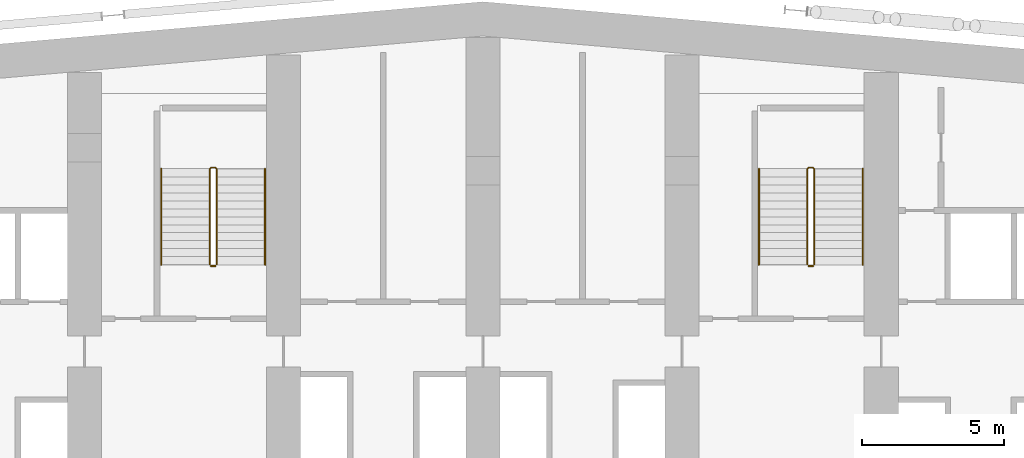
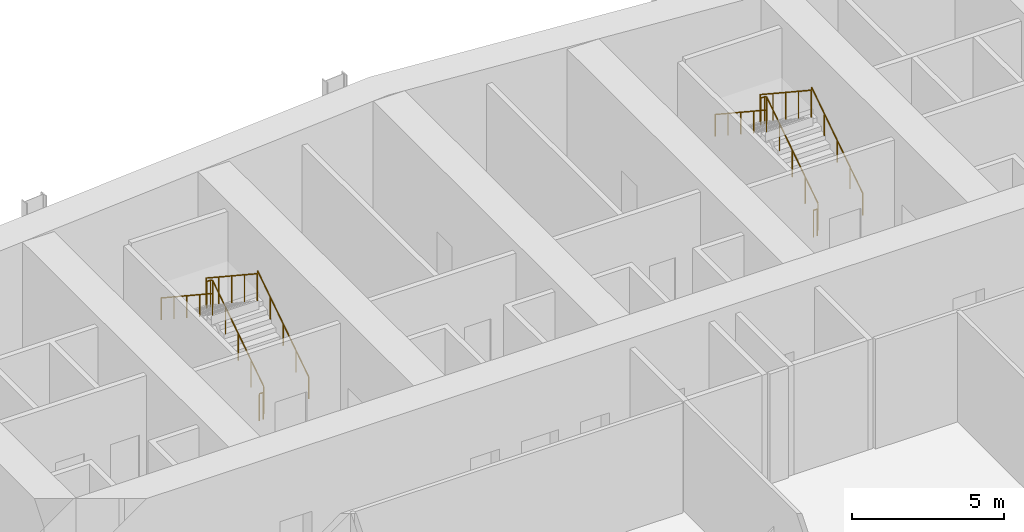
# One storey, part 38 of 39: 8 railings.
"""IFC4 building model written with IfcOpenShell, lengths in metres."""

from ifc_helpers import new_model, si_unit, direction, frame, origin, origin_2d, place, context, subcontext, project, spatial, circle, extrude, material, type_object, element, save


model = new_model("IFC4")

# Units and contexts
model_context = context("Model", 3, precision=1e-05, world=origin(), true_north=direction((0.0, 1.0)))
body_context = subcontext(model_context, "Body", "Model", "MODEL_VIEW")
ifc_project = project(units=[si_unit("LENGTHUNIT", "METRE"), si_unit("AREAUNIT", "SQUARE_METRE"), si_unit("VOLUMEUNIT", "CUBIC_METRE"), si_unit("PLANEANGLEUNIT", "RADIAN"), si_unit("MASSUNIT", "GRAM", prefix="KILO")], contexts=[model_context])

# Site, building, storey
site_placement = place(None, origin())
site = spatial("IfcSite", under=ifc_project, at=site_placement, CompositionType="ELEMENT")
building_placement = place(site_placement, origin())
building = spatial("IfcBuilding", under=site, at=building_placement, Name="Wharfspan Tower", CompositionType="ELEMENT")
storey_placement = place(building_placement, frame((0.0, 0.0, 91.899902)))
storey = spatial("IfcBuildingStorey", under=building, at=storey_placement, Name="L20", CompositionType="ELEMENT", Elevation=91.899902)

# Railings
ifc_material = material(Name="Steel S355J2", Category="steel")
railing_type_1 = type_object("IfcRailingType", Name="Stair guard 1100", PredefinedType="GUARDRAIL", material=ifc_material)
railing_1_placement = place(storey_placement, frame((27.649902, 42.0, 0.184814)))
element("IfcRailing", 1, at=railing_1_placement, inside=storey, type_object=railing_type_1, Name="L20 ST1 stair guard 1", PredefinedType="GUARDRAIL", context=body_context, shape_type="SweptSolid", body=[
    extrude(circle(Radius=0.023926, at=origin_2d()), frame((0.0, 0.0, 1.076172), z_axis=(0.0, 0.834876, 0.550437), x_axis=(-1.0, 0.0, 0.0)), (0.0, 0.0, 1.0), 4.024658),
    extrude(circle(Radius=0.023926, at=origin_2d()), frame((0.0, 3.360107, 3.291504), z_axis=(-0.707107, 0.707107, 0.0), x_axis=(-0.707107, -0.707107, 0.0)), (0.0, 0.0, 1.0), 0.070312),
    extrude(circle(Radius=0.023926, at=origin_2d()), frame((-0.049805, 3.409912, 3.291504), z_axis=(-1.0, 0.0, 0.0), x_axis=(0.0, -1.0, 0.0)), (0.0, 0.0, 1.0), 0.150146),
    extrude(circle(Radius=0.023926, at=origin_2d()), frame((-0.199951, 3.409912, 3.291504), z_axis=(-0.253265, -0.252029, 0.933991), x_axis=(0.705374, -0.708837, -1e-06)), (0.0, 0.0, 1.0), 0.19751),
    extrude(circle(Radius=0.023926, at=origin_2d()), frame((-0.25, 3.360107, 3.476074), z_axis=(0.0, -0.834876, 0.550437), x_axis=(1.0, 0.0, 0.0)), (0.0, 0.0, 1.0), 4.024658),
    extrude(circle(Radius=0.020996, at=origin_2d()), origin(), (0.0, 0.0, 1.0), 1.052002),
    extrude(circle(Radius=0.020996, at=origin_2d()), frame((0.0, 0.840088, 0.553711)), (0.0, 0.0, 1.0), 1.052002),
    extrude(circle(Radius=0.020996, at=origin_2d()), frame((0.0, 1.680176, 1.107666)), (0.0, 0.0, 1.0), 1.052002),
    extrude(circle(Radius=0.020996, at=origin_2d()), frame((0.0, 2.52002, 1.661621)), (0.0, 0.0, 1.0), 1.052002),
    extrude(circle(Radius=0.020996, at=origin_2d()), frame((0.0, 3.360107, 2.215332)), (0.0, 0.0, 1.0), 1.052002),
    extrude(circle(Radius=0.020996, at=origin_2d()), frame((-0.049805, 3.409912, 2.215332)), (0.0, 0.0, 1.0), 1.052002),
    extrude(circle(Radius=0.020996, at=origin_2d()), frame((-0.199951, 3.409912, 2.215332)), (0.0, 0.0, 1.0), 1.052002),
    extrude(circle(Radius=0.020996, at=origin_2d()), frame((-0.25, 3.360107, 2.399902)), (0.0, 0.0, 1.0), 1.052002),
    extrude(circle(Radius=0.020996, at=origin_2d()), frame((-0.25, 2.52002, 2.953613)), (0.0, 0.0, 1.0), 1.052002),
    extrude(circle(Radius=0.020996, at=origin_2d()), frame((-0.25, 1.680176, 3.507568)), (0.0, 0.0, 1.0), 1.052002),
    extrude(circle(Radius=0.020996, at=origin_2d()), frame((-0.25, 0.840088, 4.061523)), (0.0, 0.0, 1.0), 1.052002),
    extrude(circle(Radius=0.020996, at=origin_2d()), frame((-0.25, 0.0, 4.615234)), (0.0, 0.0, 1.0), 1.052002),
])
railing_2_placement = place(storey_placement, frame((27.600098, 41.949951, 0.0)))
element("IfcRailing", 2, at=railing_2_placement, inside=storey, type_object=railing_type_1, Name="L20 ST1 stair guard 2", PredefinedType="GUARDRAIL", context=body_context, shape_type="SweptSolid", body=[
    extrude(circle(Radius=0.023926, at=origin_2d()), frame((0.0, 0.0, 1.076172), z_axis=(-1.0, 0.0, 0.0), x_axis=(0.0, -1.0, 0.0)), (0.0, 0.0, 1.0), 0.150146),
    extrude(circle(Radius=0.020996, at=origin_2d()), origin(), (0.0, 0.0, 1.0), 1.052002),
    extrude(circle(Radius=0.020996, at=origin_2d()), frame((-0.150146, 0.0, 0.0)), (0.0, 0.0, 1.0), 1.052002),
])
railing_3_placement = place(storey_placement, frame((48.649902, 42.0, 0.184814)))
element("IfcRailing", 3, at=railing_3_placement, inside=storey, type_object=railing_type_1, Name="L20 ST2 stair guard 1", PredefinedType="GUARDRAIL", context=body_context, shape_type="SweptSolid", body=[
    extrude(circle(Radius=0.023926, at=origin_2d()), frame((0.0, 0.0, 1.076172), z_axis=(0.0, 0.834876, 0.550437), x_axis=(-1.0, 0.0, 0.0)), (0.0, 0.0, 1.0), 4.024658),
    extrude(circle(Radius=0.023926, at=origin_2d()), frame((0.0, 3.360107, 3.291504), z_axis=(-0.707107, 0.707107, 0.0), x_axis=(-0.707107, -0.707107, 0.0)), (0.0, 0.0, 1.0), 0.070312),
    extrude(circle(Radius=0.023926, at=origin_2d()), frame((-0.049805, 3.409912, 3.291504), z_axis=(-1.0, 0.0, 0.0), x_axis=(0.0, -1.0, 0.0)), (0.0, 0.0, 1.0), 0.150146),
    extrude(circle(Radius=0.023926, at=origin_2d()), frame((-0.199951, 3.409912, 3.291504), z_axis=(-0.253265, -0.252029, 0.933991), x_axis=(0.705374, -0.708837, -1e-06)), (0.0, 0.0, 1.0), 0.19751),
    extrude(circle(Radius=0.023926, at=origin_2d()), frame((-0.25, 3.360107, 3.476074), z_axis=(0.0, -0.834876, 0.550437), x_axis=(1.0, 0.0, 0.0)), (0.0, 0.0, 1.0), 4.024658),
    extrude(circle(Radius=0.020996, at=origin_2d()), origin(), (0.0, 0.0, 1.0), 1.052002),
    extrude(circle(Radius=0.020996, at=origin_2d()), frame((0.0, 0.840088, 0.553711)), (0.0, 0.0, 1.0), 1.052002),
    extrude(circle(Radius=0.020996, at=origin_2d()), frame((0.0, 1.680176, 1.107666)), (0.0, 0.0, 1.0), 1.052002),
    extrude(circle(Radius=0.020996, at=origin_2d()), frame((0.0, 2.52002, 1.661621)), (0.0, 0.0, 1.0), 1.052002),
    extrude(circle(Radius=0.020996, at=origin_2d()), frame((0.0, 3.360107, 2.215332)), (0.0, 0.0, 1.0), 1.052002),
    extrude(circle(Radius=0.020996, at=origin_2d()), frame((-0.049805, 3.409912, 2.215332)), (0.0, 0.0, 1.0), 1.052002),
    extrude(circle(Radius=0.020996, at=origin_2d()), frame((-0.199951, 3.409912, 2.215332)), (0.0, 0.0, 1.0), 1.052002),
    extrude(circle(Radius=0.020996, at=origin_2d()), frame((-0.25, 3.360107, 2.399902)), (0.0, 0.0, 1.0), 1.052002),
    extrude(circle(Radius=0.020996, at=origin_2d()), frame((-0.25, 2.52002, 2.953613)), (0.0, 0.0, 1.0), 1.052002),
    extrude(circle(Radius=0.020996, at=origin_2d()), frame((-0.25, 1.680176, 3.507568)), (0.0, 0.0, 1.0), 1.052002),
    extrude(circle(Radius=0.020996, at=origin_2d()), frame((-0.25, 0.840088, 4.061523)), (0.0, 0.0, 1.0), 1.052002),
    extrude(circle(Radius=0.020996, at=origin_2d()), frame((-0.25, 0.0, 4.615234)), (0.0, 0.0, 1.0), 1.052002),
])
railing_4_placement = place(storey_placement, frame((48.600098, 41.949951, 0.0)))
element("IfcRailing", 4, at=railing_4_placement, inside=storey, type_object=railing_type_1, Name="L20 ST2 stair guard 2", PredefinedType="GUARDRAIL", context=body_context, shape_type="SweptSolid", body=[
    extrude(circle(Radius=0.023926, at=origin_2d()), frame((0.0, 0.0, 1.076172), z_axis=(-1.0, 0.0, 0.0), x_axis=(0.0, -1.0, 0.0)), (0.0, 0.0, 1.0), 0.150146),
    extrude(circle(Radius=0.020996, at=origin_2d()), origin(), (0.0, 0.0, 1.0), 1.052002),
    extrude(circle(Radius=0.020996, at=origin_2d()), frame((-0.150146, 0.0, 0.0)), (0.0, 0.0, 1.0), 1.052002),
])
railing_type_2 = type_object("IfcRailingType", Name="Stair handrail 900", PredefinedType="HANDRAIL", material=ifc_material)
railing_5_placement = place(storey_placement, frame((29.350098, 42.0, 0.184814)))
element("IfcRailing", 5, at=railing_5_placement, inside=storey, type_object=railing_type_2, Name="L20 ST1 stair handrail 1", PredefinedType="HANDRAIL", context=body_context, shape_type="SweptSolid", body=[
    extrude(circle(Radius=0.023926, at=origin_2d()), frame((0.0, 0.0, 0.875977), z_axis=(0.0, 0.834876, 0.550437), x_axis=(-1.0, 0.0, 0.0)), (0.0, 0.0, 1.0), 4.024658),
    extrude(circle(Radius=0.020996, at=origin_2d()), origin(), (0.0, 0.0, 1.0), 0.851807),
    extrude(circle(Radius=0.020996, at=origin_2d()), frame((0.0, 0.840088, 0.553711)), (0.0, 0.0, 1.0), 0.851807),
    extrude(circle(Radius=0.020996, at=origin_2d()), frame((0.0, 1.680176, 1.107666)), (0.0, 0.0, 1.0), 0.851807),
    extrude(circle(Radius=0.020996, at=origin_2d()), frame((0.0, 2.52002, 1.661621)), (0.0, 0.0, 1.0), 0.851807),
    extrude(circle(Radius=0.020996, at=origin_2d()), frame((0.0, 3.360107, 2.215332)), (0.0, 0.0, 1.0), 0.851807),
])
railing_6_placement = place(storey_placement, frame((25.699951, 45.360107, 2.584717)))
element("IfcRailing", 6, at=railing_6_placement, inside=storey, type_object=railing_type_2, Name="L20 ST1 stair handrail 2", PredefinedType="HANDRAIL", context=body_context, shape_type="SweptSolid", body=[
    extrude(circle(Radius=0.023926, at=origin_2d()), frame((0.0, 0.0, 0.875977), z_axis=(0.0, -0.834876, 0.550437), x_axis=(1.0, 0.0, 0.0)), (0.0, 0.0, 1.0), 4.024658),
    extrude(circle(Radius=0.020996, at=origin_2d()), origin(), (0.0, 0.0, 1.0), 0.851807),
    extrude(circle(Radius=0.020996, at=origin_2d()), frame((0.0, -0.840088, 0.553711)), (0.0, 0.0, 1.0), 0.851807),
    extrude(circle(Radius=0.020996, at=origin_2d()), frame((0.0, -1.680176, 1.107666)), (0.0, 0.0, 1.0), 0.851807),
    extrude(circle(Radius=0.020996, at=origin_2d()), frame((0.0, -2.52002, 1.661621)), (0.0, 0.0, 1.0), 0.851807),
    extrude(circle(Radius=0.020996, at=origin_2d()), frame((0.0, -3.360107, 2.215332)), (0.0, 0.0, 1.0), 0.851807),
])
railing_7_placement = place(storey_placement, frame((50.350098, 42.0, 0.184814)))
element("IfcRailing", 7, at=railing_7_placement, inside=storey, type_object=railing_type_2, Name="L20 ST2 stair handrail 1", PredefinedType="HANDRAIL", context=body_context, shape_type="SweptSolid", body=[
    extrude(circle(Radius=0.023926, at=origin_2d()), frame((0.0, 0.0, 0.875977), z_axis=(0.0, 0.834876, 0.550437), x_axis=(-1.0, 0.0, 0.0)), (0.0, 0.0, 1.0), 4.024658),
    extrude(circle(Radius=0.020996, at=origin_2d()), origin(), (0.0, 0.0, 1.0), 0.851807),
    extrude(circle(Radius=0.020996, at=origin_2d()), frame((0.0, 0.840088, 0.553711)), (0.0, 0.0, 1.0), 0.851807),
    extrude(circle(Radius=0.020996, at=origin_2d()), frame((0.0, 1.680176, 1.107666)), (0.0, 0.0, 1.0), 0.851807),
    extrude(circle(Radius=0.020996, at=origin_2d()), frame((0.0, 2.52002, 1.661621)), (0.0, 0.0, 1.0), 0.851807),
    extrude(circle(Radius=0.020996, at=origin_2d()), frame((0.0, 3.360107, 2.215332)), (0.0, 0.0, 1.0), 0.851807),
])
railing_8_placement = place(storey_placement, frame((46.699951, 45.360107, 2.584717)))
element("IfcRailing", 8, at=railing_8_placement, inside=storey, type_object=railing_type_2, Name="L20 ST2 stair handrail 2", PredefinedType="HANDRAIL", context=body_context, shape_type="SweptSolid", body=[
    extrude(circle(Radius=0.023926, at=origin_2d()), frame((0.0, 0.0, 0.875977), z_axis=(0.0, -0.834876, 0.550437), x_axis=(1.0, 0.0, 0.0)), (0.0, 0.0, 1.0), 4.024658),
    extrude(circle(Radius=0.020996, at=origin_2d()), origin(), (0.0, 0.0, 1.0), 0.851807),
    extrude(circle(Radius=0.020996, at=origin_2d()), frame((0.0, -0.840088, 0.553711)), (0.0, 0.0, 1.0), 0.851807),
    extrude(circle(Radius=0.020996, at=origin_2d()), frame((0.0, -1.680176, 1.107666)), (0.0, 0.0, 1.0), 0.851807),
    extrude(circle(Radius=0.020996, at=origin_2d()), frame((0.0, -2.52002, 1.661621)), (0.0, 0.0, 1.0), 0.851807),
    extrude(circle(Radius=0.020996, at=origin_2d()), frame((0.0, -3.360107, 2.215332)), (0.0, 0.0, 1.0), 0.851807),
])

save(model, "model.ifc")
